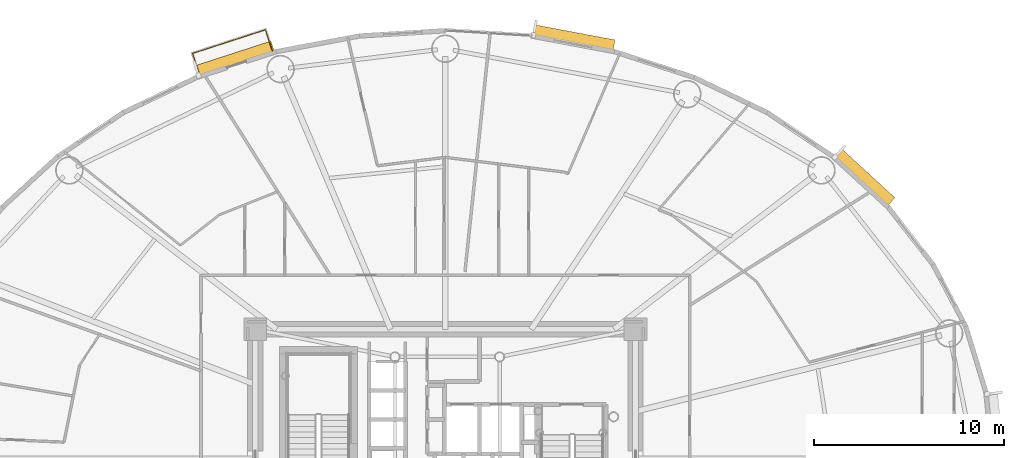
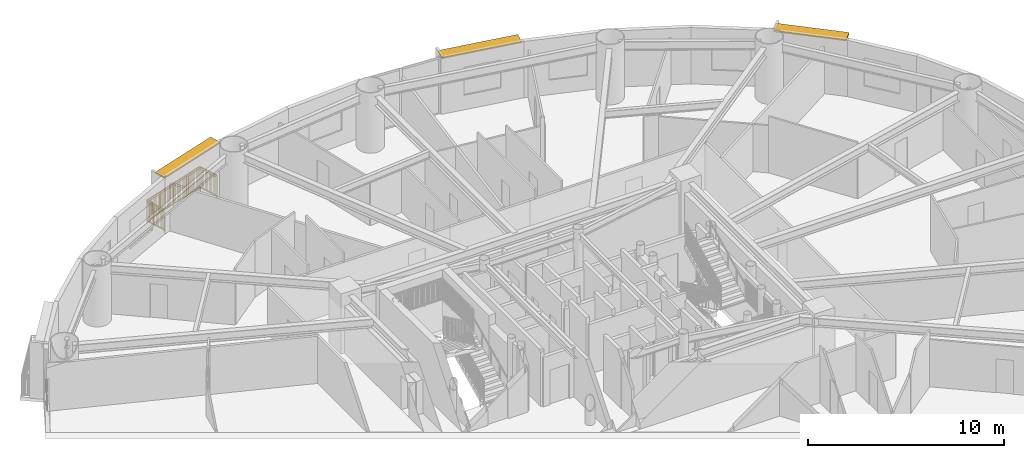
# One storey, part 19 of 19: 3 shading devices, 1 railing.
"""IFC4 building model written with IfcOpenShell, lengths in metres."""

import ifcopenshell
import ifcopenshell.guid

model = None  # the IFC model being written
_history = None  # IfcOwnerHistory: only IFC2X3 demands one
_inside = {}  # id of a spatial element -> (the spatial element, [elements in it])
_under = {}  # id of a project, library or spatial element -> (it, [spatial elements below it])
_declared = {}  # id of a project -> (the project, [libraries it declares])
_typed = {}  # id of a type object -> (the type object, [elements of that type])
_made_of = {}  # id of a material, layer set ... -> (it, [elements and type objects made of it])


def new_model(schema):
    """Start an empty IFC model of exactly this schema.

    Asked for "IFC4X3", IfcOpenShell would pick the latest addendum, in which some entities
    have other attributes; the version numbers below select the first issue.
    IFC2X3 requires an IfcOwnerHistory on every rooted entity: one is made here for all.
    """
    global model, _history
    if schema == "IFC4X3":
        model = ifcopenshell.file(schema_version=(4, 3, 0, 0))
    else:
        model = ifcopenshell.file(schema=schema)
    _inside.clear()
    _under.clear()
    _declared.clear()
    _typed.clear()
    _made_of.clear()
    _history = None
    if model.schema == "IFC2X3":
        org = make("IfcOrganization", Name="unknown")
        user = make(
            "IfcPersonAndOrganization",
            ThePerson=make("IfcPerson", FamilyName="unknown"),
            TheOrganization=org,
        )
        app = make(
            "IfcApplication",
            ApplicationDeveloper=org,
            Version="unknown",
            ApplicationFullName="unknown",
            ApplicationIdentifier="unknown",
        )
        _history = make(
            "IfcOwnerHistory",
            OwningUser=user,
            OwningApplication=app,
            ChangeAction="ADDED",
            CreationDate=0,
        )
    return model


def make(cls, **values):
    """One entity of the class cls with the attributes given. An attribute that is None is left unset."""
    return model.create_entity(
        cls, **{name: value for name, value in values.items() if value is not None}
    )


def rooted(cls, **values):
    """An entity with a GlobalId (a new one), such as an element, a storey or a relation."""
    return make(cls, GlobalId=ifcopenshell.guid.new(), OwnerHistory=_history, **values)


def si_unit(unit_type, name, prefix=None):
    """IfcSIUnit, for example si_unit("LENGTHUNIT", "METRE", prefix="MILLI")."""
    return make("IfcSIUnit", UnitType=unit_type, Prefix=prefix, Name=name)


def assignment(units):
    """IfcUnitAssignment: the units of a project."""
    return None if units is None else make("IfcUnitAssignment", Units=units)


def point(xyz):
    """IfcCartesianPoint."""
    return None if xyz is None else make("IfcCartesianPoint", Coordinates=xyz)


def direction(xyz):
    """IfcDirection."""
    return None if xyz is None else make("IfcDirection", DirectionRatios=xyz)


def frame(location, z_axis=None, x_axis=None):
    """IfcAxis2Placement3D, a coordinate frame: its origin and axes. An axis left out is left unset."""
    return make(
        "IfcAxis2Placement3D",
        Location=point(location),
        Axis=direction(z_axis),
        RefDirection=direction(x_axis),
    )


def frame_2d(location, x_axis=None):
    """IfcAxis2Placement2D, a coordinate frame in the plane: its origin and x axis."""
    return make(
        "IfcAxis2Placement2D", Location=point(location), RefDirection=direction(x_axis)
    )


def origin():
    """The frame at (0, 0, 0) with its axes left unset."""
    return frame((0.0, 0.0, 0.0))


def origin_2d():
    """The frame at (0, 0) in the plane with its x axis left unset."""
    return frame_2d((0.0, 0.0))


def place(relative_to, where):
    """IfcLocalPlacement: puts the frame where relative to a parent placement (None: the world)."""
    return make(
        "IfcLocalPlacement", PlacementRelTo=relative_to, RelativePlacement=where
    )


def context(
    kind, dimensions, precision=None, world=None, true_north=None, identifier=None
):
    """IfcGeometricRepresentationContext, for example the 3D "Model" context."""
    return make(
        "IfcGeometricRepresentationContext",
        ContextIdentifier=identifier,
        ContextType=kind,
        CoordinateSpaceDimension=dimensions,
        Precision=precision,
        WorldCoordinateSystem=world,
        TrueNorth=true_north,
    )


def subcontext(parent, identifier, kind, view, scale=None):
    """IfcGeometricRepresentationSubContext, for example "Body" below "Model"."""
    return make(
        "IfcGeometricRepresentationSubContext",
        ContextIdentifier=identifier,
        ContextType=kind,
        ParentContext=parent,
        TargetScale=scale,
        TargetView=view,
    )


def project(units=None, contexts=None):
    """IfcProject with its units and contexts."""
    return rooted(
        "IfcProject",
        Name="project",
        RepresentationContexts=contexts,
        UnitsInContext=assignment(units),
    )


def spatial(cls, under=None, at=None, **own):
    """A site, building, storey or space (cls), placed at a placement, below another one or the project."""
    s = rooted(cls, ObjectPlacement=at, **own)
    if under is not None:
        _under.setdefault(under.id(), (under, []))[1].append(s)
    return s


def profile(cls, at=None, kind="AREA", **sizes):
    """A parametric profile (cls). Its sizes go by their IFC names, for example OverallWidth=200.0."""
    return make(cls, ProfileType=kind, Position=at, **sizes)


def rectangle(**sizes):
    """IfcRectangleProfileDef."""
    return profile("IfcRectangleProfileDef", **sizes)


def extrude(swept, where, along, depth):
    """IfcExtrudedAreaSolid: the profile swept, set in the frame where, extruded along a direction by depth."""
    return make(
        "IfcExtrudedAreaSolid",
        SweptArea=swept,
        Position=where,
        ExtrudedDirection=direction(along),
        Depth=depth,
    )


def shape(context_of_items, identifier, shape_type, items):
    """IfcShapeRepresentation: the items that make up one representation, for example the "Body"."""
    return make(
        "IfcShapeRepresentation",
        ContextOfItems=context_of_items,
        RepresentationIdentifier=identifier,
        RepresentationType=shape_type,
        Items=items,
    )


def source(mapping_origin, context_of_items, identifier, shape_type, items):
    """IfcRepresentationMap: a shape defined once, which mapped items show again and again."""
    return make(
        "IfcRepresentationMap",
        MappingOrigin=mapping_origin,
        MappedRepresentation=shape(context_of_items, identifier, shape_type, items),
    )


def transform(
    local_origin,
    x_axis=None,
    y_axis=None,
    z_axis=None,
    scale=None,
    scale2=None,
    scale3=None,
    uniform=True,
):
    """IfcCartesianTransformationOperator3D, or its non-uniform kind. x_axis, y_axis, z_axis: its Axis1, 2, 3."""
    if uniform:
        return make(
            "IfcCartesianTransformationOperator3D",
            Axis1=direction(x_axis),
            Axis2=direction(y_axis),
            LocalOrigin=point(local_origin),
            Scale=scale,
            Axis3=direction(z_axis),
        )
    return make(
        "IfcCartesianTransformationOperator3DnonUniform",
        Axis1=direction(x_axis),
        Axis2=direction(y_axis),
        LocalOrigin=point(local_origin),
        Scale=scale,
        Axis3=direction(z_axis),
        Scale2=scale2,
        Scale3=scale3,
    )


def mapped(mapping_source, mapping_target):
    """IfcMappedItem: shows the shape of a source again, moved by a transform."""
    return make(
        "IfcMappedItem", MappingSource=mapping_source, MappingTarget=mapping_target
    )


def material(Name=None, Category=None):
    """IfcMaterial."""
    return make("IfcMaterial", Name=Name, Category=Category)


def layer(
    of_material, thickness, ventilated=None, Name=None, Category=None, Priority=None
):
    """IfcMaterialLayer: one layer of a wall or slab, of a material (None: an air gap)."""
    return make(
        "IfcMaterialLayer",
        Material=of_material,
        LayerThickness=thickness,
        IsVentilated=ventilated,
        Name=Name,
        Category=Category,
        Priority=Priority,
    )


def layer_set(layers, Name=None):
    """IfcMaterialLayerSet."""
    return make("IfcMaterialLayerSet", MaterialLayers=layers, LayerSetName=Name)


def made_of(thing, what):
    """Note that an element or type object is made of a material, layer set ...; save() writes the relation."""
    if what is not None:
        _made_of.setdefault(what.id(), (what, []))[1].append(thing)
    return thing


def type_object(cls, material=None, **own):
    """A type object (cls), such as IfcWallType, which elements share."""
    return made_of(rooted(cls, **own), material)


def element(
    cls,
    number,
    at=None,
    inside=None,
    cuts=None,
    type_object=None,
    material=None,
    context=None,
    identifier="Body",
    shape_type=None,
    held_by="IfcProductDefinitionShape",
    body=None,
    shapes=None,
    **own,
):
    """One element of the class cls, such as IfcWall. Its Tag is "e" and its number.

    at: its placement. inside: the storey or other place that contains it. cuts: it is an
    opening in that element (IfcRelVoidsElement). A single representation is given by context,
    identifier, shape_type and body (its items); several are given by shapes. held_by: the class
    of the entity that holds the representations. save() writes the other relations.
    """
    e = rooted(cls, Tag="e%d" % number, ObjectPlacement=at, **own)
    if body is not None:
        shapes = [shape(context, identifier, shape_type, body)]
    if shapes is not None:
        e.Representation = make(held_by, Representations=shapes)
    if inside is not None:
        _inside.setdefault(inside.id(), (inside, []))[1].append(e)
    if cuts is not None:
        rooted(
            "IfcRelVoidsElement", RelatingBuildingElement=cuts, RelatedOpeningElement=e
        )
    if type_object is not None:
        _typed.setdefault(type_object.id(), (type_object, []))[1].append(e)
    return made_of(e, material)


def aggregate(whole, parts):
    """IfcRelAggregates: a whole, such as a stair, and the parts it consists of."""
    return rooted("IfcRelAggregates", RelatingObject=whole, RelatedObjects=parts)


def save(model, path):
    """Write the relations noted so far, then the file.

    IfcRelAggregates (storeys below a building ...), IfcRelContainedInSpatialStructure (elements
    in a storey), IfcRelDefinesByType, IfcRelAssociatesMaterial and IfcRelDeclares: one each for
    every whole, place, type object, material and project.
    """
    for whole, parts in _under.values():
        aggregate(whole, parts)
    for where, things in _inside.values():
        rooted(
            "IfcRelContainedInSpatialStructure",
            RelatedElements=things,
            RelatingStructure=where,
        )
    for kind, things in _typed.values():
        rooted("IfcRelDefinesByType", RelatedObjects=things, RelatingType=kind)
    for what, things in _made_of.values():
        rooted("IfcRelAssociatesMaterial", RelatedObjects=things, RelatingMaterial=what)
    for by, libraries in _declared.values():
        rooted("IfcRelDeclares", RelatingContext=by, RelatedDefinitions=libraries)
    model.write(path)


model = new_model("IFC4")

# Units and contexts
model_context = context("Model", 3, precision=1e-05, world=origin(), true_north=direction((0.0, 1.0)))
body_context = subcontext(model_context, "Body", "Model", "MODEL_VIEW")
ifc_project = project(units=[si_unit("LENGTHUNIT", "METRE"), si_unit("AREAUNIT", "SQUARE_METRE"), si_unit("VOLUMEUNIT", "CUBIC_METRE"), si_unit("PLANEANGLEUNIT", "RADIAN"), si_unit("MASSUNIT", "GRAM", prefix="KILO")], contexts=[model_context])

# Site, building, storey
site_placement = place(None, origin())
site = spatial("IfcSite", under=ifc_project, at=site_placement, CompositionType="ELEMENT")
building_placement = place(site_placement, origin())
building = spatial("IfcBuilding", under=site, at=building_placement, Name="Linh Dai School and Residence Tower", CompositionType="ELEMENT")
storey_placement = place(building_placement, frame((0.0, 0.0, 119.699951171875)))
storey = spatial("IfcBuildingStorey", under=building, at=storey_placement, Name="L28", CompositionType="ELEMENT", Elevation=119.699951171875)

# Shading devices
ifc_material_1 = material(Name="Terracotta Ceramic Sunshade", Category="masonry")
ifc_layer = layer(ifc_material_1, 0.10009765625)
ifc_layer_set = layer_set([ifc_layer], Name="Terracotta Ceramic Sunshade")
shading_device_type = type_object("IfcShadingDeviceType", Name="SHD-TC-650", PredefinedType="USERDEFINED", material=ifc_layer_set)
shared_shape_1 = source(origin(), body_context, "Body", "SweptSolid", [
    extrude(rectangle(XDim=3.81689453125, YDim=0.64990234375, at=origin_2d()), origin(), (0.0, 0.0, 1.0), 0.10009765625),
])
shading_device_1_placement = place(storey_placement, frame((58.016357421875, 41.77001953125, 3.3798828125), z_axis=(0.0, 0.0, 1.0), x_axis=(0.737100266172, -0.675783395482, 0.0)))
element("IfcShadingDevice", 1, at=shading_device_1_placement, inside=storey, type_object=shading_device_type, Name="L28 Terracotta Horizontal Sunshade Band 05", ObjectType="SUNSHADE", PredefinedType="USERDEFINED", context=body_context, shape_type="MappedRepresentation", body=[
    mapped(shared_shape_1, transform((0.0, 0.0, 0.0), x_axis=(1.0, 0.0, 0.0), y_axis=(0.0, 1.0, 0.0), z_axis=(0.0, 0.0, 1.0), scale=1.0)),
])
shared_shape_2 = source(origin(), body_context, "Body", "SweptSolid", [
    extrude(rectangle(XDim=4.292236328125, YDim=0.64990234375, at=origin_2d()), origin(), (0.0, 0.0, 1.0), 0.10009765625),
])
shading_device_2_placement = place(storey_placement, frame((42.75537109375, 49.094482421875, 3.3798828125), z_axis=(0.0, 0.0, 1.0), x_axis=(0.982784673718, -0.18475466193, 0.0)))
element("IfcShadingDevice", 2, at=shading_device_2_placement, inside=storey, type_object=shading_device_type, Name="L28 Terracotta Horizontal Sunshade Band 09", ObjectType="SUNSHADE", PredefinedType="USERDEFINED", context=body_context, shape_type="MappedRepresentation", body=[
    mapped(shared_shape_2, transform((0.0, 0.0, 0.0), x_axis=(1.0, 0.0, 0.0), y_axis=(0.0, 1.0, 0.0), z_axis=(0.0, 0.0, 1.0), scale=1.0)),
])

# Railing
ifc_material_2 = material(Name="Structural Steel S355JR", Category="steel")
railing_type = type_object("IfcRailingType", Name="RL-BAL-1400", PredefinedType="BALUSTRADE", material=ifc_material_2)
shared_shape_3 = source(origin(), body_context, "Body", "SweptSolid", [
    extrude(rectangle(XDim=0.048095703125, YDim=0.048095703125, at=origin_2d()), frame((0.0, 0.0, 1.3759765625), z_axis=(-0.30851987862, 0.951217895383, 0.0), x_axis=(-0.951217895383, -0.30851987862, 0.0)), (0.0, 0.0, 1.0), 1.179931640625),
    extrude(rectangle(XDim=0.048095703125, YDim=0.048095703125, at=origin_2d()), frame((0.0, 0.0, 0.10009765625), z_axis=(-0.30851987862, 0.951217895383, 0.0), x_axis=(-0.951217895383, -0.30851987862, 0.0)), (0.0, 0.0, 1.0), 1.179931640625),
    extrude(rectangle(XDim=0.030029296875, YDim=0.030029296875, at=origin_2d()), frame((0.0, 0.0, 1.239990234375), z_axis=(-0.30851987862, 0.951217895383, 0.0), x_axis=(-0.951217895383, -0.30851987862, 0.0)), (0.0, 0.0, 1.0), 1.179931640625),
    extrude(rectangle(XDim=0.02001953125, YDim=0.02001953125, at=origin_2d()), frame((-0.028076171875, 0.08642578125, 0.10009765625)), (0.0, 0.0, 1.0), 1.251708984375),
    extrude(rectangle(XDim=0.02001953125, YDim=0.02001953125, at=origin_2d()), frame((-0.055908203125, 0.172607421875, 0.10009765625)), (0.0, 0.0, 1.0), 1.251708984375),
    extrude(rectangle(XDim=0.02001953125, YDim=0.02001953125, at=origin_2d()), frame((-0.083984375, 0.259033203125, 0.10009765625)), (0.0, 0.0, 1.0), 1.251708984375),
    extrude(rectangle(XDim=0.02001953125, YDim=0.02001953125, at=origin_2d()), frame((-0.112060546875, 0.34521484375, 0.10009765625)), (0.0, 0.0, 1.0), 1.251708984375),
    extrude(rectangle(XDim=0.02001953125, YDim=0.02001953125, at=origin_2d()), frame((-0.139892578125, 0.431640625, 0.10009765625)), (0.0, 0.0, 1.0), 1.251708984375),
    extrude(rectangle(XDim=0.02001953125, YDim=0.02001953125, at=origin_2d()), frame((-0.16796875, 0.51806640625, 0.10009765625)), (0.0, 0.0, 1.0), 1.251708984375),
    extrude(rectangle(XDim=0.02001953125, YDim=0.02001953125, at=origin_2d()), frame((-0.196044921875, 0.604248046875, 0.10009765625)), (0.0, 0.0, 1.0), 1.251708984375),
    extrude(rectangle(XDim=0.02001953125, YDim=0.02001953125, at=origin_2d()), frame((-0.22412109375, 0.690673828125, 0.10009765625)), (0.0, 0.0, 1.0), 1.251708984375),
    extrude(rectangle(XDim=0.02001953125, YDim=0.02001953125, at=origin_2d()), frame((-0.251953125, 0.777099609375, 0.10009765625)), (0.0, 0.0, 1.0), 1.251708984375),
    extrude(rectangle(XDim=0.02001953125, YDim=0.02001953125, at=origin_2d()), frame((-0.280029296875, 0.86328125, 0.10009765625)), (0.0, 0.0, 1.0), 1.251708984375),
    extrude(rectangle(XDim=0.02001953125, YDim=0.02001953125, at=origin_2d()), frame((-0.30810546875, 0.94970703125, 0.10009765625)), (0.0, 0.0, 1.0), 1.251708984375),
    extrude(rectangle(XDim=0.02001953125, YDim=0.02001953125, at=origin_2d()), frame((-0.3359375, 1.035888671875, 0.10009765625)), (0.0, 0.0, 1.0), 1.251708984375),
    extrude(rectangle(XDim=0.048095703125, YDim=0.048095703125, at=origin_2d()), frame((-0.364013671875, 1.122314453125, 1.3759765625), z_axis=(0.951209839709, 0.308544714492, 0.0), x_axis=(-0.308544714492, 0.951209839709, 0.0)), (0.0, 0.0, 1.0), 4.0283203125),
    extrude(rectangle(XDim=0.048095703125, YDim=0.048095703125, at=origin_2d()), frame((-0.364013671875, 1.122314453125, 0.10009765625), z_axis=(0.951209839709, 0.308544714492, 0.0), x_axis=(-0.308544714492, 0.951209839709, 0.0)), (0.0, 0.0, 1.0), 4.0283203125),
    extrude(rectangle(XDim=0.030029296875, YDim=0.030029296875, at=origin_2d()), frame((-0.364013671875, 1.122314453125, 1.239990234375), z_axis=(0.951209839709, 0.308544714492, 0.0), x_axis=(-0.308544714492, 0.951209839709, 0.0)), (0.0, 0.0, 1.0), 4.0283203125),
    extrude(rectangle(XDim=0.02001953125, YDim=0.02001953125, at=origin_2d()), frame((-0.272705078125, 1.15185546875, 0.10009765625)), (0.0, 0.0, 1.0), 1.251708984375),
    extrude(rectangle(XDim=0.02001953125, YDim=0.02001953125, at=origin_2d()), frame((-0.181640625, 1.181396484375, 0.10009765625)), (0.0, 0.0, 1.0), 1.251708984375),
    extrude(rectangle(XDim=0.02001953125, YDim=0.02001953125, at=origin_2d()), frame((-0.09033203125, 1.211181640625, 0.10009765625)), (0.0, 0.0, 1.0), 1.251708984375),
    extrude(rectangle(XDim=0.02001953125, YDim=0.02001953125, at=origin_2d()), frame((0.0009765625, 1.24072265625, 0.10009765625)), (0.0, 0.0, 1.0), 1.251708984375),
    extrude(rectangle(XDim=0.02001953125, YDim=0.02001953125, at=origin_2d()), frame((0.092041015625, 1.270263671875, 0.10009765625)), (0.0, 0.0, 1.0), 1.251708984375),
    extrude(rectangle(XDim=0.02001953125, YDim=0.02001953125, at=origin_2d()), frame((0.183349609375, 1.2998046875, 0.10009765625)), (0.0, 0.0, 1.0), 1.251708984375),
    extrude(rectangle(XDim=0.02001953125, YDim=0.02001953125, at=origin_2d()), frame((0.274658203125, 1.32958984375, 0.10009765625)), (0.0, 0.0, 1.0), 1.251708984375),
    extrude(rectangle(XDim=0.02001953125, YDim=0.02001953125, at=origin_2d()), frame((0.365966796875, 1.359130859375, 0.10009765625)), (0.0, 0.0, 1.0), 1.251708984375),
    extrude(rectangle(XDim=0.02001953125, YDim=0.02001953125, at=origin_2d()), frame((0.45703125, 1.388671875, 0.10009765625)), (0.0, 0.0, 1.0), 1.251708984375),
    extrude(rectangle(XDim=0.02001953125, YDim=0.02001953125, at=origin_2d()), frame((0.54833984375, 1.418212890625, 0.10009765625)), (0.0, 0.0, 1.0), 1.251708984375),
    extrude(rectangle(XDim=0.02001953125, YDim=0.02001953125, at=origin_2d()), frame((0.6396484375, 1.44775390625, 0.10009765625)), (0.0, 0.0, 1.0), 1.251708984375),
    extrude(rectangle(XDim=0.02001953125, YDim=0.02001953125, at=origin_2d()), frame((0.730712890625, 1.4775390625, 0.10009765625)), (0.0, 0.0, 1.0), 1.251708984375),
    extrude(rectangle(XDim=0.02001953125, YDim=0.02001953125, at=origin_2d()), frame((0.822021484375, 1.507080078125, 0.10009765625)), (0.0, 0.0, 1.0), 1.251708984375),
    extrude(rectangle(XDim=0.02001953125, YDim=0.02001953125, at=origin_2d()), frame((0.913330078125, 1.53662109375, 0.10009765625)), (0.0, 0.0, 1.0), 1.251708984375),
    extrude(rectangle(XDim=0.02001953125, YDim=0.02001953125, at=origin_2d()), frame((1.00439453125, 1.566162109375, 0.10009765625)), (0.0, 0.0, 1.0), 1.251708984375),
    extrude(rectangle(XDim=0.02001953125, YDim=0.02001953125, at=origin_2d()), frame((1.095703125, 1.595703125, 0.10009765625)), (0.0, 0.0, 1.0), 1.251708984375),
    extrude(rectangle(XDim=0.02001953125, YDim=0.02001953125, at=origin_2d()), frame((1.18701171875, 1.62548828125, 0.10009765625)), (0.0, 0.0, 1.0), 1.251708984375),
    extrude(rectangle(XDim=0.02001953125, YDim=0.02001953125, at=origin_2d()), frame((1.278076171875, 1.655029296875, 0.10009765625)), (0.0, 0.0, 1.0), 1.251708984375),
    extrude(rectangle(XDim=0.02001953125, YDim=0.02001953125, at=origin_2d()), frame((1.369384765625, 1.6845703125, 0.10009765625)), (0.0, 0.0, 1.0), 1.251708984375),
    extrude(rectangle(XDim=0.02001953125, YDim=0.02001953125, at=origin_2d()), frame((1.460693359375, 1.714111328125, 0.10009765625)), (0.0, 0.0, 1.0), 1.251708984375),
    extrude(rectangle(XDim=0.02001953125, YDim=0.02001953125, at=origin_2d()), frame((1.64306640625, 1.7734375, 0.10009765625)), (0.0, 0.0, 1.0), 1.251708984375),
    extrude(rectangle(XDim=0.02001953125, YDim=0.02001953125, at=origin_2d()), frame((1.734375, 1.802978515625, 0.10009765625)), (0.0, 0.0, 1.0), 1.251708984375),
    extrude(rectangle(XDim=0.02001953125, YDim=0.02001953125, at=origin_2d()), frame((1.82568359375, 1.83251953125, 0.10009765625)), (0.0, 0.0, 1.0), 1.251708984375),
    extrude(rectangle(XDim=0.02001953125, YDim=0.02001953125, at=origin_2d()), frame((1.916748046875, 1.862060546875, 0.10009765625)), (0.0, 0.0, 1.0), 1.251708984375),
    extrude(rectangle(XDim=0.02001953125, YDim=0.02001953125, at=origin_2d()), frame((2.008056640625, 1.891845703125, 0.10009765625)), (0.0, 0.0, 1.0), 1.251708984375),
    extrude(rectangle(XDim=0.02001953125, YDim=0.02001953125, at=origin_2d()), frame((2.099365234375, 1.92138671875, 0.10009765625)), (0.0, 0.0, 1.0), 1.251708984375),
    extrude(rectangle(XDim=0.02001953125, YDim=0.02001953125, at=origin_2d()), frame((2.1904296875, 1.950927734375, 0.10009765625)), (0.0, 0.0, 1.0), 1.251708984375),
    extrude(rectangle(XDim=0.02001953125, YDim=0.02001953125, at=origin_2d()), frame((2.28173828125, 1.98046875, 0.10009765625)), (0.0, 0.0, 1.0), 1.251708984375),
    extrude(rectangle(XDim=0.02001953125, YDim=0.02001953125, at=origin_2d()), frame((2.373046875, 2.010009765625, 0.10009765625)), (0.0, 0.0, 1.0), 1.251708984375),
    extrude(rectangle(XDim=0.02001953125, YDim=0.02001953125, at=origin_2d()), frame((2.464111328125, 2.039794921875, 0.10009765625)), (0.0, 0.0, 1.0), 1.251708984375),
    extrude(rectangle(XDim=0.02001953125, YDim=0.02001953125, at=origin_2d()), frame((2.555419921875, 2.0693359375, 0.10009765625)), (0.0, 0.0, 1.0), 1.251708984375),
    extrude(rectangle(XDim=0.02001953125, YDim=0.02001953125, at=origin_2d()), frame((2.646728515625, 2.098876953125, 0.10009765625)), (0.0, 0.0, 1.0), 1.251708984375),
    extrude(rectangle(XDim=0.02001953125, YDim=0.02001953125, at=origin_2d()), frame((2.73779296875, 2.12841796875, 0.10009765625)), (0.0, 0.0, 1.0), 1.251708984375),
    extrude(rectangle(XDim=0.02001953125, YDim=0.02001953125, at=origin_2d()), frame((2.8291015625, 2.158203125, 0.10009765625)), (0.0, 0.0, 1.0), 1.251708984375),
    extrude(rectangle(XDim=0.02001953125, YDim=0.02001953125, at=origin_2d()), frame((2.92041015625, 2.187744140625, 0.10009765625)), (0.0, 0.0, 1.0), 1.251708984375),
    extrude(rectangle(XDim=0.02001953125, YDim=0.02001953125, at=origin_2d()), frame((3.01171875, 2.21728515625, 0.10009765625)), (0.0, 0.0, 1.0), 1.251708984375),
    extrude(rectangle(XDim=0.02001953125, YDim=0.02001953125, at=origin_2d()), frame((3.102783203125, 2.246826171875, 0.10009765625)), (0.0, 0.0, 1.0), 1.251708984375),
    extrude(rectangle(XDim=0.02001953125, YDim=0.02001953125, at=origin_2d()), frame((3.194091796875, 2.2763671875, 0.10009765625)), (0.0, 0.0, 1.0), 1.251708984375),
    extrude(rectangle(XDim=0.02001953125, YDim=0.02001953125, at=origin_2d()), frame((3.285400390625, 2.30615234375, 0.10009765625)), (0.0, 0.0, 1.0), 1.251708984375),
    extrude(rectangle(XDim=0.02001953125, YDim=0.02001953125, at=origin_2d()), frame((3.37646484375, 2.335693359375, 0.10009765625)), (0.0, 0.0, 1.0), 1.251708984375),
    extrude(rectangle(XDim=0.048095703125, YDim=0.048095703125, at=origin_2d()), frame((3.4677734375, 2.365234375, 1.3759765625), z_axis=(0.308459164781, -0.951237585287, 0.0), x_axis=(0.951237585287, 0.308459164781, 0.0)), (0.0, 0.0, 1.0), 1.18017578125),
    extrude(rectangle(XDim=0.048095703125, YDim=0.048095703125, at=origin_2d()), frame((3.4677734375, 2.365234375, 0.10009765625), z_axis=(0.308459164781, -0.951237585287, 0.0), x_axis=(0.951237585287, 0.308459164781, 0.0)), (0.0, 0.0, 1.0), 1.18017578125),
    extrude(rectangle(XDim=0.030029296875, YDim=0.030029296875, at=origin_2d()), frame((3.4677734375, 2.365234375, 1.239990234375), z_axis=(0.308459164781, -0.951237585287, 0.0), x_axis=(0.951237585287, 0.308459164781, 0.0)), (0.0, 0.0, 1.0), 1.18017578125),
    extrude(rectangle(XDim=0.02001953125, YDim=0.02001953125, at=origin_2d()), frame((3.495849609375, 2.27880859375, 0.10009765625)), (0.0, 0.0, 1.0), 1.251708984375),
    extrude(rectangle(XDim=0.02001953125, YDim=0.02001953125, at=origin_2d()), frame((3.523681640625, 2.192626953125, 0.10009765625)), (0.0, 0.0, 1.0), 1.251708984375),
    extrude(rectangle(XDim=0.02001953125, YDim=0.02001953125, at=origin_2d()), frame((3.5517578125, 2.106201171875, 0.10009765625)), (0.0, 0.0, 1.0), 1.251708984375),
    extrude(rectangle(XDim=0.02001953125, YDim=0.02001953125, at=origin_2d()), frame((3.579833984375, 2.019775390625, 0.10009765625)), (0.0, 0.0, 1.0), 1.251708984375),
    extrude(rectangle(XDim=0.02001953125, YDim=0.02001953125, at=origin_2d()), frame((3.607666015625, 1.93359375, 0.10009765625)), (0.0, 0.0, 1.0), 1.251708984375),
    extrude(rectangle(XDim=0.02001953125, YDim=0.02001953125, at=origin_2d()), frame((3.6357421875, 1.84716796875, 0.10009765625)), (0.0, 0.0, 1.0), 1.251708984375),
    extrude(rectangle(XDim=0.02001953125, YDim=0.02001953125, at=origin_2d()), frame((3.663818359375, 1.7607421875, 0.10009765625)), (0.0, 0.0, 1.0), 1.251708984375),
    extrude(rectangle(XDim=0.02001953125, YDim=0.02001953125, at=origin_2d()), frame((3.69189453125, 1.67431640625, 0.10009765625)), (0.0, 0.0, 1.0), 1.251708984375),
    extrude(rectangle(XDim=0.02001953125, YDim=0.02001953125, at=origin_2d()), frame((3.7197265625, 1.588134765625, 0.10009765625)), (0.0, 0.0, 1.0), 1.251708984375),
    extrude(rectangle(XDim=0.02001953125, YDim=0.02001953125, at=origin_2d()), frame((3.747802734375, 1.501708984375, 0.10009765625)), (0.0, 0.0, 1.0), 1.251708984375),
    extrude(rectangle(XDim=0.02001953125, YDim=0.02001953125, at=origin_2d()), frame((3.77587890625, 1.415283203125, 0.10009765625)), (0.0, 0.0, 1.0), 1.251708984375),
    extrude(rectangle(XDim=0.02001953125, YDim=0.02001953125, at=origin_2d()), frame((3.8037109375, 1.3291015625, 0.10009765625)), (0.0, 0.0, 1.0), 1.251708984375),
    extrude(rectangle(XDim=0.0419921875, YDim=0.0419921875, at=origin_2d()), origin(), (0.0, 0.0, 1.0), 1.3759765625),
    extrude(rectangle(XDim=0.0419921875, YDim=0.0419921875, at=origin_2d()), frame((-0.364013671875, 1.122314453125, 0.0)), (0.0, 0.0, 1.0), 1.3759765625),
    extrude(rectangle(XDim=0.0419921875, YDim=0.0419921875, at=origin_2d()), frame((0.593994140625, 1.43310546875, 0.0)), (0.0, 0.0, 1.0), 1.3759765625),
    extrude(rectangle(XDim=0.0419921875, YDim=0.0419921875, at=origin_2d()), frame((1.5517578125, 1.74365234375, 0.0)), (0.0, 0.0, 1.0), 1.3759765625),
    extrude(rectangle(XDim=0.0419921875, YDim=0.0419921875, at=origin_2d()), frame((2.509765625, 2.054443359375, 0.0)), (0.0, 0.0, 1.0), 1.3759765625),
    extrude(rectangle(XDim=0.0419921875, YDim=0.0419921875, at=origin_2d()), frame((3.4677734375, 2.365234375, 0.0)), (0.0, 0.0, 1.0), 1.3759765625),
    extrude(rectangle(XDim=0.0419921875, YDim=0.0419921875, at=origin_2d()), frame((3.831787109375, 1.24267578125, 0.0)), (0.0, 0.0, 1.0), 1.3759765625),
])
railing_placement = place(storey_placement, frame((23.071044921875, 47.183837890625, 0.0)))
element("IfcRailing", 3, at=railing_placement, inside=storey, type_object=railing_type, Name="L28 Balcony Safety Balustrade 13", PredefinedType="BALUSTRADE", context=body_context, shape_type="MappedRepresentation", body=[
    mapped(shared_shape_3, transform((0.0, 0.0, 0.0), x_axis=(1.0, 0.0, 0.0), y_axis=(0.0, 1.0, 0.0), z_axis=(0.0, 0.0, 1.0), scale=1.0)),
])

# Shading device
shared_shape_4 = source(origin(), body_context, "Body", "SweptSolid", [
    extrude(rectangle(XDim=4.212890625, YDim=0.64990234375, at=origin_2d()), origin(), (0.0, 0.0, 1.0), 0.10009765625),
])
shading_device_3_placement = place(storey_placement, frame((24.92529296875, 47.995361328125, 3.3798828125), z_axis=(0.0, 0.0, 1.0), x_axis=(0.951217089442, 0.308522363457, 0.0)))
element("IfcShadingDevice", 4, at=shading_device_3_placement, inside=storey, type_object=shading_device_type, Name="L28 Terracotta Horizontal Sunshade Band 13", ObjectType="SUNSHADE", PredefinedType="USERDEFINED", context=body_context, shape_type="MappedRepresentation", body=[
    mapped(shared_shape_4, transform((0.0, 0.0, 0.0), x_axis=(1.0, 0.0, 0.0), y_axis=(0.0, 1.0, 0.0), z_axis=(0.0, 0.0, 1.0), scale=1.0)),
])

save(model, "model.ifc")
